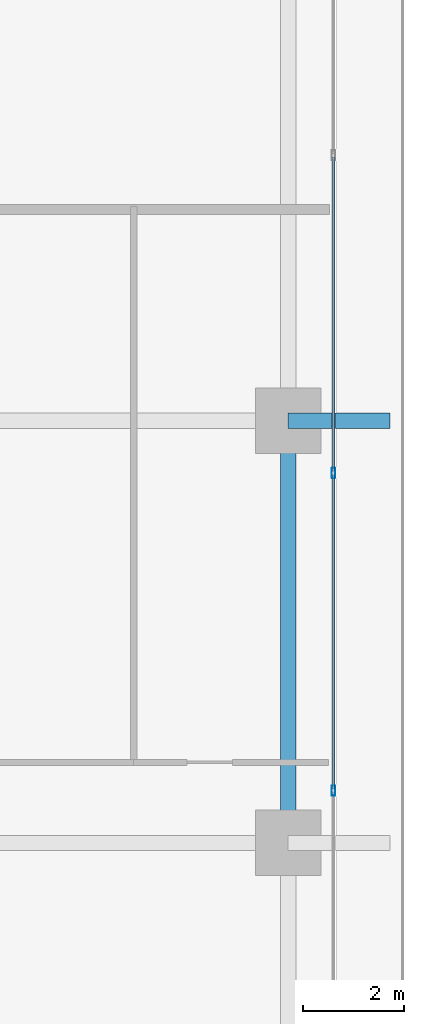
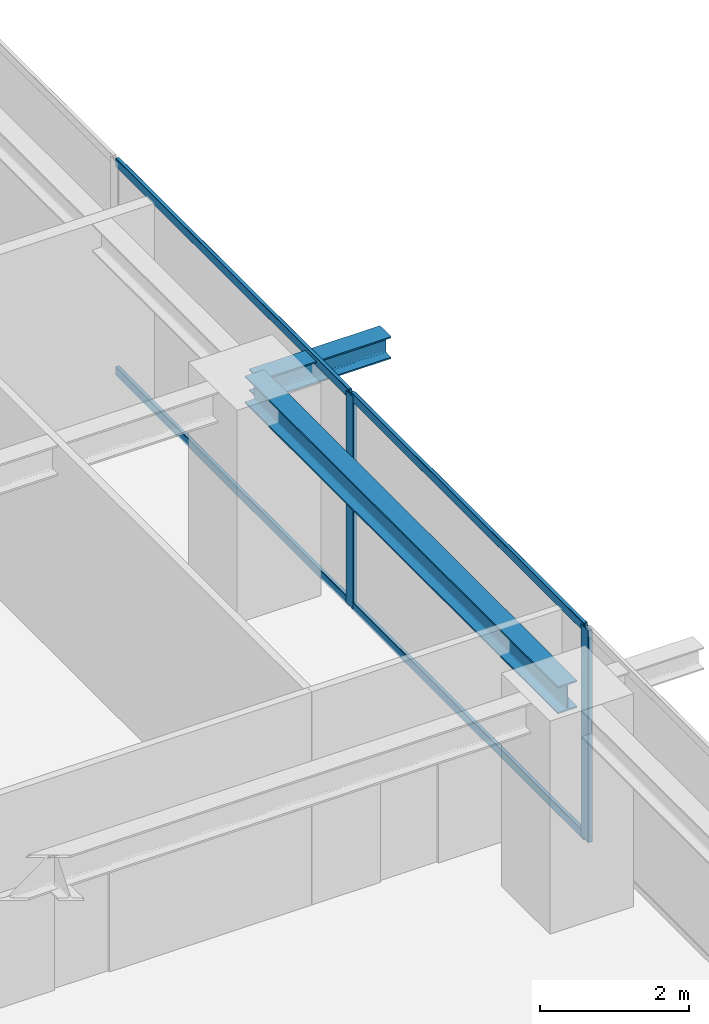
# One storey, part 16 of 37: 6 members, 2 beams, 1 element without a shape of its own.
"""IFC4 building model written with IfcOpenShell, lengths in metres."""

from ifc_helpers import new_model, si_unit, direction, frame, origin, origin_2d, place, context, subcontext, project, spatial, hollow_rectangle, i_section, extrude, source, transform, mapped, material, layer, layer_set, material_profile, profile_set, type_object, element, aggregate, save


model = new_model("IFC4")

# Units and contexts
model_context = context("Model", 3, precision=1e-05, world=origin(), true_north=direction((0.0, 1.0)))
body_context = subcontext(model_context, "Body", "Model", "MODEL_VIEW")
ifc_project = project(units=[si_unit("LENGTHUNIT", "METRE"), si_unit("AREAUNIT", "SQUARE_METRE"), si_unit("VOLUMEUNIT", "CUBIC_METRE"), si_unit("PLANEANGLEUNIT", "RADIAN"), si_unit("MASSUNIT", "GRAM", prefix="KILO")], contexts=[model_context])

# Site, building, storey
site_placement = place(None, origin())
site = spatial("IfcSite", under=ifc_project, at=site_placement, CompositionType="ELEMENT")
building_placement = place(site_placement, origin())
building = spatial("IfcBuilding", under=site, at=building_placement, Name="Serunith Strait Residences", CompositionType="ELEMENT")
storey_placement = place(building_placement, frame((0.0, 0.0, 153.89990234375)))
storey = spatial("IfcBuildingStorey", under=building, at=storey_placement, Name="L38", CompositionType="ELEMENT", Elevation=153.89990234375)

# Beams
ifc_material_1 = material(Name="Steel S355J2", Category="steel")
ifc_material_profile_1 = material_profile(ifc_material_1, i_section(OverallWidth=0.300048828125, OverallDepth=0.449951171875, WebThickness=0.013916015625, FlangeThickness=0.02587890625, FilletRadius=0.027099609375, at=origin_2d()), Name="HEB 450")
ifc_profile_set_1 = profile_set([ifc_material_profile_1], Name="Steel S355J2")
beam_type_1 = type_object("IfcBeamType", Name="BM-HEB450", PredefinedType="BEAM", material=ifc_profile_set_1)
shared_shape_1 = source(origin(), body_context, "Body", "SweptSolid", [
    extrude(i_section(OverallWidth=0.300048828125, OverallDepth=0.449951171875, WebThickness=0.013916015625, FlangeThickness=0.02587890625, FilletRadius=0.027099609375, at=origin_2d()), origin(), (0.0, 0.0, 1.0), 8.39990234375),
])
beam_1_placement = place(storey_placement, frame((56.10009765625, 21.0, 3.26220703125), z_axis=(0.0, 1.0, 0.0), x_axis=(-1.0, 0.0, 0.0)))
element("IfcBeam", 1, at=beam_1_placement, inside=storey, type_object=beam_type_1, Name="L38 Perimeter Ring Beam 06", PredefinedType="BEAM", context=body_context, shape_type="MappedRepresentation", body=[
    mapped(shared_shape_1, transform((0.0, 0.0, 0.0), scale=1.0)),
])
ifc_material_profile_2 = material_profile(ifc_material_1, i_section(OverallWidth=0.300048828125, OverallDepth=0.360107421875, WebThickness=0.012451171875, FlangeThickness=0.0224609375, FilletRadius=0.027099609375, at=origin_2d()), Name="HEB 360")
ifc_profile_set_2 = profile_set([ifc_material_profile_2], Name="Steel S355J2")
beam_type_2 = type_object("IfcBeamType", Name="BM-HEB360", PredefinedType="BEAM", material=ifc_profile_set_2)
shared_shape_2 = source(origin(), body_context, "Body", "SweptSolid", [
    extrude(i_section(OverallWidth=0.300048828125, OverallDepth=0.360107421875, WebThickness=0.012451171875, FlangeThickness=0.0224609375, FilletRadius=0.027099609375, at=origin_2d()), origin(), (0.0, 0.0, 1.0), 2.02978515625),
])
beam_2_placement = place(storey_placement, frame((56.10009765625, 29.39990234375, 3.277099609375), z_axis=(1.0, 0.0, 0.0), x_axis=(0.0, 1.0, 0.0)))
element("IfcBeam", 2, at=beam_2_placement, inside=storey, type_object=beam_type_2, Name="L39 Cantilevered Balcony Rib TC-E3", PredefinedType="BEAM", context=body_context, shape_type="MappedRepresentation", body=[
    mapped(shared_shape_2, transform((0.0, 0.0, 0.0), scale=1.0)),
])

# Curtain wall, members
ifc_material_2 = material(Name="Pale-Champagne Anodised Aluminium", Category="aluminium")
ifc_layer = layer(ifc_material_2, 0.199951171875, Name="Pale-Champagne Anodised Aluminium")
ifc_layer_set = layer_set([ifc_layer], Name="Pale-Champagne Anodised Aluminium")
curtain_wall_type = type_object("IfcCurtainWallType", Name="CW-SYS2", PredefinedType="NOTDEFINED", material=ifc_layer_set)
curtain_wall_placement = place(storey_placement, origin())
curtain_wall = element("IfcCurtainWall", 3, at=curtain_wall_placement, inside=storey, type_object=curtain_wall_type, Name="L38 E Unitised Fritted Curtain Wall", PredefinedType="NOTDEFINED")
ifc_material_profile_3 = material_profile(ifc_material_2, hollow_rectangle(XDim=0.070068359375, YDim=0.199951171875, WallThickness=0.00390625, InnerFilletRadius=0.006103515625, OuterFilletRadius=0.010009765625, at=origin_2d()), Name="ALU 200x70x4")
ifc_profile_set_3 = profile_set([ifc_material_profile_3], Name="Pale-Champagne Anodised Aluminium")
member_type_1 = type_object("IfcMemberType", Name="CW-SYS2-MULL", PredefinedType="MULLION", material=ifc_profile_set_3)
shared_shape_3 = source(origin(), body_context, "Body", "SweptSolid", [
    extrude(hollow_rectangle(XDim=0.070068359375, YDim=0.199951171875, WallThickness=0.00390625, InnerFilletRadius=0.006103515625, OuterFilletRadius=0.010009765625, at=origin_2d()), origin(), (0.0, 0.0, 1.0), 3.47509765625),
])
member_1_placement = place(storey_placement, frame((57.0, 22.0400390625, 0.0), z_axis=(0.0, 0.0, 1.0), x_axis=(-1.0, 0.0, 0.0)))
member_1 = element("IfcMember", 4, at=member_1_placement, type_object=member_type_1, Name="CW-2 mullion 3", PredefinedType="MULLION", context=body_context, shape_type="MappedRepresentation", body=[
    mapped(shared_shape_3, transform((0.0, 0.0, 0.0), scale=1.0)),
])
member_2_placement = place(storey_placement, frame((57.0, 28.360107421875, 0.0), z_axis=(0.0, 0.0, 1.0), x_axis=(-1.0, 0.0, 0.0)))
member_2 = element("IfcMember", 5, at=member_2_placement, type_object=member_type_1, Name="CW-2 mullion 4", PredefinedType="MULLION", context=body_context, shape_type="MappedRepresentation", body=[
    mapped(shared_shape_3, transform((0.0, 0.0, 0.0), scale=1.0)),
])
ifc_material_profile_4 = material_profile(ifc_material_2, hollow_rectangle(XDim=0.06005859375, YDim=0.139892578125, WallThickness=0.00341796875, InnerFilletRadius=0.00537109375, OuterFilletRadius=0.0087890625, at=origin_2d()), Name="ALU 140x60x3.5")
ifc_profile_set_4 = profile_set([ifc_material_profile_4], Name="Pale-Champagne Anodised Aluminium")
member_type_2 = type_object("IfcMemberType", Name="CW-SYS2-TRAN", PredefinedType="USERDEFINED", material=ifc_profile_set_4)
shared_shape_4 = source(origin(), body_context, "Body", "SweptSolid", [
    extrude(hollow_rectangle(XDim=0.06005859375, YDim=0.139892578125, WallThickness=0.00341796875, InnerFilletRadius=0.00537109375, OuterFilletRadius=0.0087890625, at=origin_2d()), origin(), (0.0, 0.0, 1.0), 6.25),
])
member_3_placement = place(storey_placement, frame((57.0, 22.074951171875, 0.030029296875), z_axis=(0.0, 1.0, 0.0), x_axis=(-1.0, 0.0, 0.0)))
member_3 = element("IfcMember", 6, at=member_3_placement, type_object=member_type_2, Name="CW-2 transom 3.1", ObjectType="TRANSOM", PredefinedType="USERDEFINED", context=body_context, shape_type="MappedRepresentation", body=[
    mapped(shared_shape_4, transform((0.0, 0.0, 0.0), scale=1.0)),
])
member_4_placement = place(storey_placement, frame((57.0, 22.074951171875, 3.445068359375), z_axis=(0.0, 1.0, 0.0), x_axis=(-1.0, 0.0, 0.0)))
member_4 = element("IfcMember", 7, at=member_4_placement, type_object=member_type_2, Name="CW-2 transom 3.2", ObjectType="TRANSOM", PredefinedType="USERDEFINED", context=body_context, shape_type="MappedRepresentation", body=[
    mapped(shared_shape_4, transform((0.0, 0.0, 0.0), scale=1.0)),
])
member_5_placement = place(storey_placement, frame((57.0, 28.39501953125, 0.030029296875), z_axis=(0.0, 1.0, 0.0), x_axis=(-1.0, 0.0, 0.0)))
member_5 = element("IfcMember", 8, at=member_5_placement, type_object=member_type_2, Name="CW-2 transom 4.1", ObjectType="TRANSOM", PredefinedType="USERDEFINED", context=body_context, shape_type="MappedRepresentation", body=[
    mapped(shared_shape_4, transform((0.0, 0.0, 0.0), scale=1.0)),
])
member_6_placement = place(storey_placement, frame((57.0, 28.39501953125, 3.445068359375), z_axis=(0.0, 1.0, 0.0), x_axis=(-1.0, 0.0, 0.0)))
member_6 = element("IfcMember", 9, at=member_6_placement, type_object=member_type_2, Name="CW-2 transom 4.2", ObjectType="TRANSOM", PredefinedType="USERDEFINED", context=body_context, shape_type="MappedRepresentation", body=[
    mapped(shared_shape_4, transform((0.0, 0.0, 0.0), scale=1.0)),
])
aggregate(curtain_wall, [member_1, member_2, member_3, member_4, member_5, member_6])

save(model, "model.ifc")
